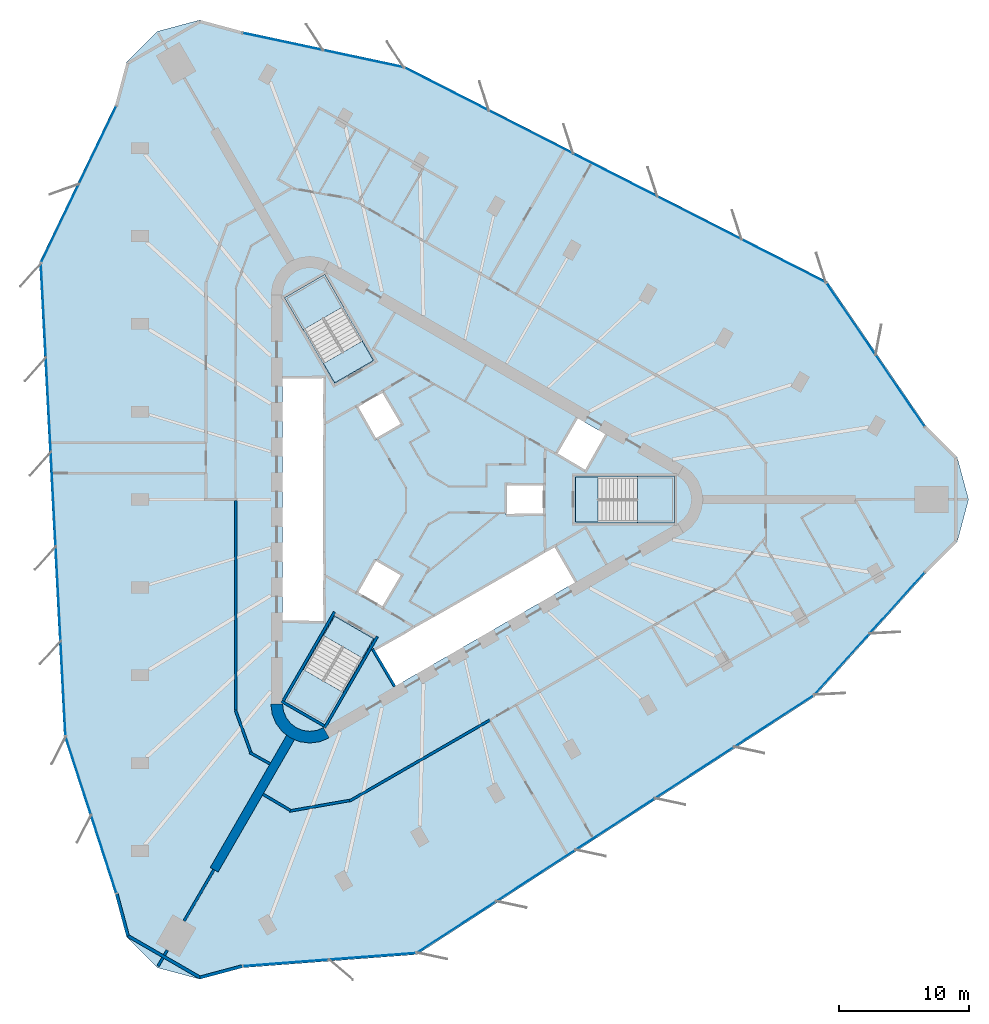
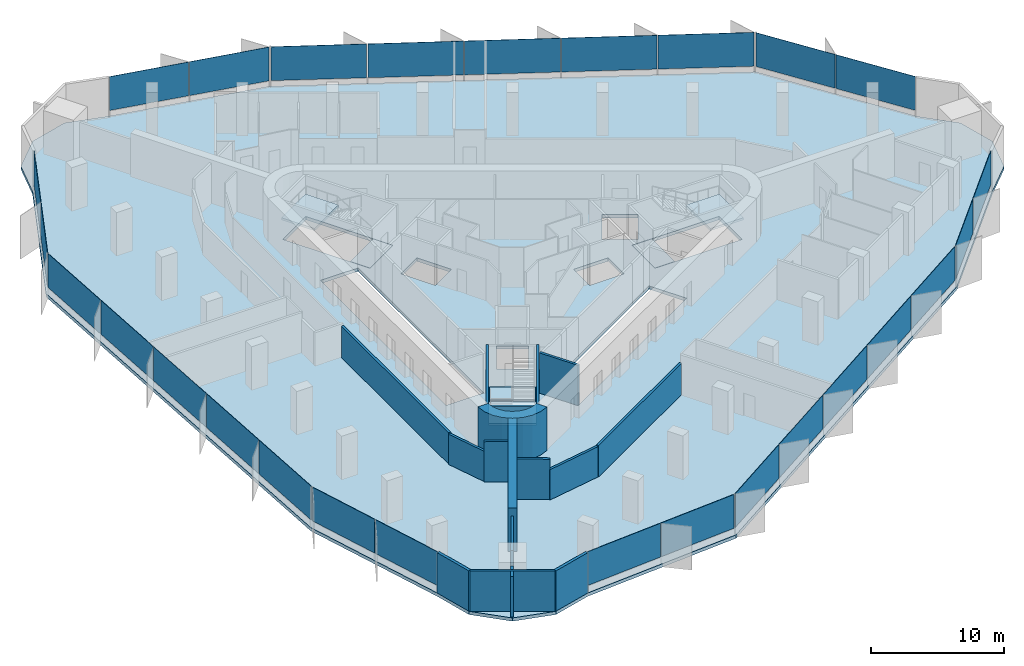
# One storey, part 7 of 14: 27 plates, 18 walls, 7 slabs, 12 elements without a shape of their own.
"""IFC4 building model written with IfcOpenShell, lengths in metres."""

from ifc_helpers import new_model, si_unit, direction, frame, frame_2d, origin, origin_2d, place, context, subcontext, project, spatial, polyline, rectangle, outline, extrude, material, layer, layer_set, type_object, element, aggregate, save


model = new_model("IFC4")

# Units and contexts
model_context = context("Model", 3, precision=1e-05, world=origin(), true_north=direction((0.0, 1.0)))
body_context = subcontext(model_context, "Body", "Model", "MODEL_VIEW")
ifc_project = project(units=[si_unit("LENGTHUNIT", "METRE"), si_unit("AREAUNIT", "SQUARE_METRE"), si_unit("VOLUMEUNIT", "CUBIC_METRE"), si_unit("PLANEANGLEUNIT", "RADIAN"), si_unit("MASSUNIT", "GRAM", prefix="KILO")], contexts=[model_context])

# Site, building, storey
site_placement = place(None, origin())
site = spatial("IfcSite", under=ifc_project, at=site_placement, CompositionType="ELEMENT")
building_placement = place(site_placement, origin())
building = spatial("IfcBuilding", under=site, at=building_placement, Name="Tanit Gate Tower", CompositionType="ELEMENT")
storey_placement = place(building_placement, frame((0.0, 0.0, 213.199951171875)))
storey = spatial("IfcBuildingStorey", under=building, at=storey_placement, Name="L47", CompositionType="ELEMENT", Elevation=213.199951171875)

# Slab
ifc_material_1 = material(Name="Concrete C35/45", Category="concrete")
ifc_layer_1 = layer(ifc_material_1, 0.300048828125)
ifc_layer_set_1 = layer_set([ifc_layer_1], Name="FLOOR SLAB 300 C35/45")
slab_type_1 = type_object("IfcSlabType", Name="FLOOR SLAB 300 C35/45", PredefinedType="FLOOR", material=ifc_layer_set_1)
slab_1_placement = place(storey_placement, frame((0.0, 0.0, -0.300048828125)))
element("IfcSlab", 1, at=slab_1_placement, inside=storey, type_object=slab_type_1, Name="FLOOR SLAB L47", PredefinedType="FLOOR", context=body_context, shape_type="SweptSolid", body=[
    extrude(outline(polyline([(38.39453125, 5.65771484375), (40.785888671875, 3.266357421875), (41.660888671875, 0.0), (40.785888671875, -3.266357421875), (38.39453125, -5.65771484375), (29.828857421875, -15.15869140625), (-0.8359375, -35.058349609375), (-14.297607421875, -36.07958984375), (-17.564208984375, -36.95458984375), (-20.83056640625, -36.07958984375), (-23.2216796875, -33.688232421875), (-24.096923828125, -30.421875), (-28.04248046875, -18.253173828125), (-29.943359375, 18.253173828125), (-24.096923828125, 30.421875), (-23.2216796875, 33.688232421875), (-20.83056640625, 36.07958984375), (-17.564208984375, 36.95458984375), (-14.297607421875, 36.07958984375), (-1.78662109375, 33.411865234375), (30.779296875, 16.80517578125), (38.39453125, 5.65771484375)]), holes=[polyline([(11.3701171875, 1.72998046875), (18.929931640625, 1.72998046875), (18.929931640625, -1.72998046875), (11.3701171875, -1.72998046875), (11.3701171875, 1.72998046875)]), polyline([(9.82080078125, 3.510009765625), (11.44580078125, 6.324462890625), (13.783935546875, 4.974609375), (12.158935546875, 2.159912109375), (9.82080078125, 3.510009765625)]), polyline([(-4.208984375, -11.60986328125), (9.82080078125, -3.510009765625), (11.44580078125, -6.324462890625), (-2.583984375, -14.424560546875), (-4.208984375, -11.60986328125)]), polyline([(6.0, 1.199951171875), (9.0, 1.199951171875), (9.0, -1.199951171875), (6.0, -1.199951171875), (6.0, 1.199951171875)]), polyline([(-5.539306640625, 7.194091796875), (-3.460693359375, 8.394287109375), (-1.960693359375, 5.796142578125), (-4.039306640625, 4.59619140625), (-5.539306640625, 7.194091796875)]), polyline([(-1.960693359375, -5.796142578125), (-3.460693359375, -8.394287109375), (-5.539306640625, -7.194091796875), (-4.039306640625, -4.59619140625), (-1.960693359375, -5.796142578125)]), polyline([(-10.963134765625, 15.52880859375), (-7.966796875, 17.2587890625), (-4.186767578125, 10.711669921875), (-7.18310546875, 8.981689453125), (-10.963134765625, 15.52880859375)]), polyline([(-4.186767578125, -10.711669921875), (-7.966796875, -17.2587890625), (-10.963134765625, -15.52880859375), (-7.18310546875, -8.981689453125), (-4.186767578125, -10.711669921875)]), polyline([(-11.199951171875, -9.449951171875), (-11.199951171875, 9.449951171875), (-7.949951171875, 9.449951171875), (-7.949951171875, -9.449951171875), (-11.199951171875, -9.449951171875)])]), origin(), (0.0, 0.0, 1.0), 0.300048828125),
])

# Curtain wall, plates
ifc_material_2 = material(Name="Aluminium bronze anodised and glass", Category="aluminium")
curtain_wall_type = type_object("IfcCurtainWallType", Name="Curtain wall typical mid", PredefinedType="NOTDEFINED", material=ifc_material_2)
curtain_wall_1_placement = place(storey_placement, origin())
curtain_wall_1 = element("IfcCurtainWall", 2, at=curtain_wall_1_placement, inside=storey, type_object=curtain_wall_type, Name="Curtain wall L47 NE1", PredefinedType="NOTDEFINED")
ifc_material_3 = material(Name="Glass tinted", Category="glass")
ifc_layer_2 = layer(ifc_material_3, 0.030029296875)
ifc_layer_set_2 = layer_set([ifc_layer_2], Name="Glass panel 30 typical mid")
plate_type = type_object("IfcPlateType", Name="Glass panel 30 typical mid", PredefinedType="CURTAIN_PANEL", material=ifc_layer_set_2)
plate_1_placement = place(storey_placement, frame((36.389404296875, 8.380126953125, 0.60009765625), z_axis=(0.0, 0.0, 1.0), x_axis=(-0.564077771762, 0.825721664608, 0.0)))
plate_1 = element("IfcPlate", 3, at=plate_1_placement, type_object=plate_type, Name="Glass panel L47 NE1.1", PredefinedType="CURTAIN_PANEL", context=body_context, shape_type="SweptSolid", body=[
    extrude(rectangle(XDim=6.620361328125, YDim=0.030029296875, at=origin_2d()), origin(), (0.0, 0.0, 1.0), 3.10009765625),
])
plate_2_placement = place(storey_placement, frame((32.60986328125, 13.912841796875, 0.60009765625), z_axis=(0.0, 0.0, 1.0), x_axis=(-0.564077771762, 0.825721664608, 0.0)))
plate_2 = element("IfcPlate", 4, at=plate_2_placement, type_object=plate_type, Name="Glass panel L47 NE1.2", PredefinedType="CURTAIN_PANEL", context=body_context, shape_type="SweptSolid", body=[
    extrude(rectangle(XDim=6.62060546875, YDim=0.030029296875, at=origin_2d()), origin(), (0.0, 0.0, 1.0), 3.10009765625),
])
aggregate(curtain_wall_1, [plate_1, plate_2])

curtain_wall_2_placement = place(storey_placement, origin())
curtain_wall_2 = element("IfcCurtainWall", 5, at=curtain_wall_2_placement, inside=storey, type_object=curtain_wall_type, Name="Curtain wall L47 NE2", PredefinedType="NOTDEFINED")
plate_3_placement = place(storey_placement, frame((27.41650390625, 18.38525390625, 0.60009765625), z_axis=(0.0, 0.0, 1.0), x_axis=(-0.890855088516, 0.454287586518, 0.0)))
plate_3 = element("IfcPlate", 6, at=plate_3_placement, type_object=plate_type, Name="Glass panel L47 NE2.1", PredefinedType="CURTAIN_PANEL", context=body_context, shape_type="SweptSolid", body=[
    extrude(rectangle(XDim=7.205810546875, YDim=0.030029296875, at=origin_2d()), origin(), (0.0, 0.0, 1.0), 3.10009765625),
])
plate_4_placement = place(storey_placement, frame((20.926025390625, 21.695068359375, 0.60009765625), z_axis=(0.0, 0.0, 1.0), x_axis=(-0.890855088516, 0.454287586518, 0.0)))
plate_4 = element("IfcPlate", 7, at=plate_4_placement, type_object=plate_type, Name="Glass panel L47 NE2.2", PredefinedType="CURTAIN_PANEL", context=body_context, shape_type="SweptSolid", body=[
    extrude(rectangle(XDim=7.205810546875, YDim=0.030029296875, at=origin_2d()), origin(), (0.0, 0.0, 1.0), 3.10009765625),
])
plate_5_placement = place(storey_placement, frame((14.435302734375, 25.005126953125, 0.60009765625), z_axis=(0.0, 0.0, 1.0), x_axis=(-0.890855088516, 0.454287586518, 0.0)))
plate_5 = element("IfcPlate", 8, at=plate_5_placement, type_object=plate_type, Name="Glass panel L47 NE2.3", PredefinedType="CURTAIN_PANEL", context=body_context, shape_type="SweptSolid", body=[
    extrude(rectangle(XDim=7.205810546875, YDim=0.030029296875, at=origin_2d()), origin(), (0.0, 0.0, 1.0), 3.10009765625),
])
plate_6_placement = place(storey_placement, frame((7.944580078125, 28.31494140625, 0.60009765625), z_axis=(0.0, 0.0, 1.0), x_axis=(-0.890855088516, 0.454287586518, 0.0)))
plate_6 = element("IfcPlate", 9, at=plate_6_placement, type_object=plate_type, Name="Glass panel L47 NE2.4", PredefinedType="CURTAIN_PANEL", context=body_context, shape_type="SweptSolid", body=[
    extrude(rectangle(XDim=7.205810546875, YDim=0.030029296875, at=origin_2d()), origin(), (0.0, 0.0, 1.0), 3.10009765625),
])
plate_7_placement = place(storey_placement, frame((1.4541015625, 31.624755859375, 0.60009765625), z_axis=(0.0, 0.0, 1.0), x_axis=(-0.890855088516, 0.454287586518, 0.0)))
plate_7 = element("IfcPlate", 10, at=plate_7_placement, type_object=plate_type, Name="Glass panel L47 NE2.5", PredefinedType="CURTAIN_PANEL", context=body_context, shape_type="SweptSolid", body=[
    extrude(rectangle(XDim=7.205810546875, YDim=0.030029296875, at=origin_2d()), origin(), (0.0, 0.0, 1.0), 3.10009765625),
])
aggregate(curtain_wall_2, [plate_3, plate_4, plate_5, plate_6, plate_7])

curtain_wall_3_placement = place(storey_placement, origin())
curtain_wall_3 = element("IfcCurtainWall", 11, at=curtain_wall_3_placement, inside=storey, type_object=curtain_wall_type, Name="Curtain wall L47 NE3", PredefinedType="NOTDEFINED")
plate_8_placement = place(storey_placement, frame((-4.97119140625, 33.96826171875, 0.60009765625), z_axis=(0.0, 0.0, 1.0), x_axis=(-0.978016696692, 0.208526595404, 0.0)))
plate_8 = element("IfcPlate", 12, at=plate_8_placement, type_object=plate_type, Name="Glass panel L47 NE3.1", PredefinedType="CURTAIN_PANEL", context=body_context, shape_type="SweptSolid", body=[
    extrude(rectangle(XDim=6.269775390625, YDim=0.030029296875, at=origin_2d()), origin(), (0.0, 0.0, 1.0), 3.10009765625),
])
plate_9_placement = place(storey_placement, frame((-11.181396484375, 35.29248046875, 0.60009765625), z_axis=(0.0, 0.0, 1.0), x_axis=(-0.978016696692, 0.208526595404, 0.0)))
plate_9 = element("IfcPlate", 13, at=plate_9_placement, type_object=plate_type, Name="Glass panel L47 NE3.2", PredefinedType="CURTAIN_PANEL", context=body_context, shape_type="SweptSolid", body=[
    extrude(rectangle(XDim=6.27001953125, YDim=0.030029296875, at=origin_2d()), origin(), (0.0, 0.0, 1.0), 3.10009765625),
])
aggregate(curtain_wall_3, [plate_8, plate_9])

curtain_wall_4_placement = place(storey_placement, origin())
curtain_wall_4 = element("IfcCurtainWall", 14, at=curtain_wall_4_placement, inside=storey, type_object=curtain_wall_type, Name="Curtain wall L47 W1", PredefinedType="NOTDEFINED")
plate_10_placement = place(storey_placement, frame((-25.4521484375, 27.32421875, 0.60009765625), z_axis=(0.0, 0.0, 1.0), x_axis=(-0.433057052125, -0.90136651236, 0.0)))
plate_10 = element("IfcPlate", 15, at=plate_10_placement, type_object=plate_type, Name="Glass panel L47 W1.1", PredefinedType="CURTAIN_PANEL", context=body_context, shape_type="SweptSolid", body=[
    extrude(rectangle(XDim=6.620361328125, YDim=0.030029296875, at=origin_2d()), origin(), (0.0, 0.0, 1.0), 3.10009765625),
])
plate_11_placement = place(storey_placement, frame((-28.353759765625, 21.28466796875, 0.60009765625), z_axis=(0.0, 0.0, 1.0), x_axis=(-0.433057052125, -0.90136651236, 0.0)))
plate_11 = element("IfcPlate", 16, at=plate_11_placement, type_object=plate_type, Name="Glass panel L47 W1.2", PredefinedType="CURTAIN_PANEL", context=body_context, shape_type="SweptSolid", body=[
    extrude(rectangle(XDim=6.62060546875, YDim=0.030029296875, at=origin_2d()), origin(), (0.0, 0.0, 1.0), 3.10009765625),
])
aggregate(curtain_wall_4, [plate_10, plate_11])

curtain_wall_5_placement = place(storey_placement, origin())
curtain_wall_5 = element("IfcCurtainWall", 17, at=curtain_wall_5_placement, inside=storey, type_object=curtain_wall_type, Name="Curtain wall L47 W2", PredefinedType="NOTDEFINED")
plate_12_placement = place(storey_placement, frame((-29.63037109375, 14.55078125, 0.60009765625), z_axis=(0.0, 0.0, 1.0), x_axis=(0.05200295371, -0.998646931005, 0.0)))
plate_12 = element("IfcPlate", 18, at=plate_12_placement, type_object=plate_type, Name="Glass panel L47 W2.1", PredefinedType="CURTAIN_PANEL", context=body_context, shape_type="SweptSolid", body=[
    extrude(rectangle(XDim=7.205810546875, YDim=0.030029296875, at=origin_2d()), origin(), (0.0, 0.0, 1.0), 3.10009765625),
])
plate_13_placement = place(storey_placement, frame((-29.25146484375, 7.27490234375, 0.60009765625), z_axis=(0.0, 0.0, 1.0), x_axis=(0.05200295371, -0.998646931005, 0.0)))
plate_13 = element("IfcPlate", 19, at=plate_13_placement, type_object=plate_type, Name="Glass panel L47 W2.2", PredefinedType="CURTAIN_PANEL", context=body_context, shape_type="SweptSolid", body=[
    extrude(rectangle(XDim=7.205810546875, YDim=0.030029296875, at=origin_2d()), origin(), (0.0, 0.0, 1.0), 3.10009765625),
])
plate_14_placement = place(storey_placement, frame((-28.87255859375, -0.001220703125, 0.60009765625), z_axis=(0.0, 0.0, 1.0), x_axis=(0.05200295371, -0.998646931005, 0.0)))
plate_14 = element("IfcPlate", 20, at=plate_14_placement, type_object=plate_type, Name="Glass panel L47 W2.3", PredefinedType="CURTAIN_PANEL", context=body_context, shape_type="SweptSolid", body=[
    extrude(rectangle(XDim=7.205810546875, YDim=0.030029296875, at=origin_2d()), origin(), (0.0, 0.0, 1.0), 3.10009765625),
])
plate_15_placement = place(storey_placement, frame((-28.49365234375, -7.277099609375, 0.60009765625), z_axis=(0.0, 0.0, 1.0), x_axis=(0.05200295371, -0.998646931005, 0.0)))
plate_15 = element("IfcPlate", 21, at=plate_15_placement, type_object=plate_type, Name="Glass panel L47 W2.4", PredefinedType="CURTAIN_PANEL", context=body_context, shape_type="SweptSolid", body=[
    extrude(rectangle(XDim=7.205810546875, YDim=0.030029296875, at=origin_2d()), origin(), (0.0, 0.0, 1.0), 3.10009765625),
])
plate_16_placement = place(storey_placement, frame((-28.11474609375, -14.55322265625, 0.60009765625), z_axis=(0.0, 0.0, 1.0), x_axis=(0.05200295371, -0.998646931005, 0.0)))
plate_16 = element("IfcPlate", 22, at=plate_16_placement, type_object=plate_type, Name="Glass panel L47 W2.5", PredefinedType="CURTAIN_PANEL", context=body_context, shape_type="SweptSolid", body=[
    extrude(rectangle(XDim=7.205810546875, YDim=0.030029296875, at=origin_2d()), origin(), (0.0, 0.0, 1.0), 3.10009765625),
])
aggregate(curtain_wall_5, [plate_12, plate_13, plate_14, plate_15, plate_16])

curtain_wall_6_placement = place(storey_placement, origin())
curtain_wall_6 = element("IfcCurtainWall", 23, at=curtain_wall_6_placement, inside=storey, type_object=curtain_wall_type, Name="Curtain wall L47 W3", PredefinedType="NOTDEFINED")
plate_17_placement = place(storey_placement, frame((-26.931884765625, -21.289306640625, 0.60009765625), z_axis=(0.0, 0.0, 1.0), x_axis=(0.308419019362, -0.951250602363, 0.0)))
plate_17 = element("IfcPlate", 24, at=plate_17_placement, type_object=plate_type, Name="Glass panel L47 W3.1", PredefinedType="CURTAIN_PANEL", context=body_context, shape_type="SweptSolid", body=[
    extrude(rectangle(XDim=6.269775390625, YDim=0.030029296875, at=origin_2d()), origin(), (0.0, 0.0, 1.0), 3.10009765625),
])
plate_18_placement = place(storey_placement, frame((-24.973388671875, -27.32958984375, 0.60009765625), z_axis=(0.0, 0.0, 1.0), x_axis=(0.308419019362, -0.951250602363, 0.0)))
plate_18 = element("IfcPlate", 25, at=plate_18_placement, type_object=plate_type, Name="Glass panel L47 W3.2", PredefinedType="CURTAIN_PANEL", context=body_context, shape_type="SweptSolid", body=[
    extrude(rectangle(XDim=6.27001953125, YDim=0.030029296875, at=origin_2d()), origin(), (0.0, 0.0, 1.0), 3.10009765625),
])
aggregate(curtain_wall_6, [plate_17, plate_18])

curtain_wall_7_placement = place(storey_placement, origin())
curtain_wall_7 = element("IfcCurtainWall", 26, at=curtain_wall_7_placement, inside=storey, type_object=curtain_wall_type, Name="Curtain wall L47 SE1", PredefinedType="NOTDEFINED")
plate_19_placement = place(storey_placement, frame((-10.937255859375, -35.704345703125, 0.60009765625), z_axis=(0.0, 0.0, 1.0), x_axis=(0.997134823887, 0.075644847752, 0.0)))
plate_19 = element("IfcPlate", 27, at=plate_19_placement, type_object=plate_type, Name="Glass panel L47 SE1.1", PredefinedType="CURTAIN_PANEL", context=body_context, shape_type="SweptSolid", body=[
    extrude(rectangle(XDim=6.620361328125, YDim=0.030029296875, at=origin_2d()), origin(), (0.0, 0.0, 1.0), 3.10009765625),
])
plate_20_placement = place(storey_placement, frame((-4.256103515625, -35.197265625, 0.60009765625), z_axis=(0.0, 0.0, 1.0), x_axis=(0.997134823887, 0.075644847752, 0.0)))
plate_20 = element("IfcPlate", 28, at=plate_20_placement, type_object=plate_type, Name="Glass panel L47 SE1.2", PredefinedType="CURTAIN_PANEL", context=body_context, shape_type="SweptSolid", body=[
    extrude(rectangle(XDim=6.62060546875, YDim=0.030029296875, at=origin_2d()), origin(), (0.0, 0.0, 1.0), 3.10009765625),
])
aggregate(curtain_wall_7, [plate_19, plate_20])

curtain_wall_8_placement = place(storey_placement, origin())
curtain_wall_8 = element("IfcCurtainWall", 29, at=curtain_wall_8_placement, inside=storey, type_object=curtain_wall_type, Name="Curtain wall L47 SE2", PredefinedType="NOTDEFINED")
plate_21_placement = place(storey_placement, frame((2.2138671875, -32.93603515625, 0.60009765625), z_axis=(0.0, 0.0, 1.0), x_axis=(0.838852134807, 0.544359344487, 0.0)))
plate_21 = element("IfcPlate", 30, at=plate_21_placement, type_object=plate_type, Name="Glass panel L47 SE2.1", PredefinedType="CURTAIN_PANEL", context=body_context, shape_type="SweptSolid", body=[
    extrude(rectangle(XDim=7.205810546875, YDim=0.030029296875, at=origin_2d()), origin(), (0.0, 0.0, 1.0), 3.10009765625),
])
plate_22_placement = place(storey_placement, frame((8.32568359375, -28.969970703125, 0.60009765625), z_axis=(0.0, 0.0, 1.0), x_axis=(0.838852134807, 0.544359344487, 0.0)))
plate_22 = element("IfcPlate", 31, at=plate_22_placement, type_object=plate_type, Name="Glass panel L47 SE2.2", PredefinedType="CURTAIN_PANEL", context=body_context, shape_type="SweptSolid", body=[
    extrude(rectangle(XDim=7.205810546875, YDim=0.030029296875, at=origin_2d()), origin(), (0.0, 0.0, 1.0), 3.10009765625),
])
plate_23_placement = place(storey_placement, frame((14.437255859375, -25.00390625, 0.60009765625), z_axis=(0.0, 0.0, 1.0), x_axis=(0.838852134807, 0.544359344487, 0.0)))
plate_23 = element("IfcPlate", 32, at=plate_23_placement, type_object=plate_type, Name="Glass panel L47 SE2.3", PredefinedType="CURTAIN_PANEL", context=body_context, shape_type="SweptSolid", body=[
    extrude(rectangle(XDim=7.205810546875, YDim=0.030029296875, at=origin_2d()), origin(), (0.0, 0.0, 1.0), 3.10009765625),
])
plate_24_placement = place(storey_placement, frame((20.549072265625, -21.03759765625, 0.60009765625), z_axis=(0.0, 0.0, 1.0), x_axis=(0.838852134807, 0.544359344487, 0.0)))
plate_24 = element("IfcPlate", 33, at=plate_24_placement, type_object=plate_type, Name="Glass panel L47 SE2.4", PredefinedType="CURTAIN_PANEL", context=body_context, shape_type="SweptSolid", body=[
    extrude(rectangle(XDim=7.205810546875, YDim=0.030029296875, at=origin_2d()), origin(), (0.0, 0.0, 1.0), 3.10009765625),
])
plate_25_placement = place(storey_placement, frame((26.660888671875, -17.071533203125, 0.60009765625), z_axis=(0.0, 0.0, 1.0), x_axis=(0.838852134807, 0.544359344487, 0.0)))
plate_25 = element("IfcPlate", 34, at=plate_25_placement, type_object=plate_type, Name="Glass panel L47 SE2.5", PredefinedType="CURTAIN_PANEL", context=body_context, shape_type="SweptSolid", body=[
    extrude(rectangle(XDim=7.205810546875, YDim=0.030029296875, at=origin_2d()), origin(), (0.0, 0.0, 1.0), 3.10009765625),
])
aggregate(curtain_wall_8, [plate_21, plate_22, plate_23, plate_24, plate_25])

curtain_wall_9_placement = place(storey_placement, origin())
curtain_wall_9 = element("IfcCurtainWall", 35, at=curtain_wall_9_placement, inside=storey, type_object=curtain_wall_type, Name="Curtain wall L47 SE3", PredefinedType="NOTDEFINED")
plate_26_placement = place(storey_placement, frame((31.903076171875, -12.678955078125, 0.60009765625), z_axis=(0.0, 0.0, 1.0), x_axis=(0.669597677331, 0.742724006959, 0.0)))
plate_26 = element("IfcPlate", 36, at=plate_26_placement, type_object=plate_type, Name="Glass panel L47 SE3.1", PredefinedType="CURTAIN_PANEL", context=body_context, shape_type="SweptSolid", body=[
    extrude(rectangle(XDim=6.269775390625, YDim=0.030029296875, at=origin_2d()), origin(), (0.0, 0.0, 1.0), 3.10009765625),
])
plate_27_placement = place(storey_placement, frame((36.15478515625, -7.962890625, 0.60009765625), z_axis=(0.0, 0.0, 1.0), x_axis=(0.669597677331, 0.742724006959, 0.0)))
plate_27 = element("IfcPlate", 37, at=plate_27_placement, type_object=plate_type, Name="Glass panel L47 SE3.2", PredefinedType="CURTAIN_PANEL", context=body_context, shape_type="SweptSolid", body=[
    extrude(rectangle(XDim=6.27001953125, YDim=0.030029296875, at=origin_2d()), origin(), (0.0, 0.0, 1.0), 3.10009765625),
])
aggregate(curtain_wall_9, [plate_26, plate_27])

# Stair, slab
ifc_material_4 = material(Name="Concrete C40/50", Category="concrete")
stair_type = type_object("IfcStairType", Name="INT-STAIR-EXIT", PredefinedType="HALF_TURN_STAIR", material=ifc_material_4)
stair_1_placement = place(storey_placement, origin())
stair_1 = element("IfcStair", 38, at=stair_1_placement, inside=storey, type_object=stair_type, Name="L47 STAIR S1", PredefinedType="HALF_TURN_STAIR")
ifc_material_5 = material(Name="Concrete C40/50", Category="concrete")
ifc_layer_3 = layer(ifc_material_5, 0.199951171875)
ifc_layer_set_3 = layer_set([ifc_layer_3], Name="INT-STAIR-LANDING")
slab_type_2 = type_object("IfcSlabType", Name="INT-STAIR-LANDING", PredefinedType="LANDING", material=ifc_layer_set_3)
slab_2_placement = place(storey_placement, frame((0.0, 0.0, 1.800048828125)))
slab_2 = element("IfcSlab", 39, at=slab_2_placement, type_object=slab_type_2, Name="S1 landing 1", PredefinedType="LANDING", context=body_context, shape_type="SweptSolid", body=[
    extrude(outline(polyline([(16.135986328125, -1.800048828125), (19.0, -1.800048828125), (19.0, 1.800048828125), (16.135986328125, 1.800048828125), (16.135986328125, -1.800048828125)])), origin(), (0.0, 0.0, 1.0), 0.199951171875),
])
aggregate(stair_1, [slab_2])

# Slab
slab_3_placement = place(storey_placement, frame((0.0, 0.0, -0.199951171875)))
element("IfcSlab", 40, at=slab_3_placement, inside=storey, type_object=slab_type_2, Name="S1 floor landing", PredefinedType="LANDING", context=body_context, shape_type="SweptSolid", body=[
    extrude(outline(polyline([(11.3798828125, -1.719970703125), (13.10498046875, -1.719970703125), (13.10498046875, 1.719970703125), (11.3798828125, 1.719970703125), (11.3798828125, -1.719970703125)])), origin(), (0.0, 0.0, 1.0), 0.199951171875),
])

# Stair, slab
stair_2_placement = place(storey_placement, origin())
stair_2 = element("IfcStair", 41, at=stair_2_placement, inside=storey, type_object=stair_type, Name="L47 STAIR S2", PredefinedType="HALF_TURN_STAIR")
slab_4_placement = place(storey_placement, frame((0.0, 0.0, 1.800048828125)))
slab_4 = element("IfcSlab", 42, at=slab_4_placement, type_object=slab_type_2, Name="S2 landing 1", PredefinedType="LANDING", context=body_context, shape_type="SweptSolid", body=[
    extrude(outline(polyline([(-6.5078125, 14.871826171875), (-7.941162109375, 17.3544921875), (-11.058837890625, 15.554443359375), (-9.62548828125, 13.07177734375), (-6.5078125, 14.871826171875)])), origin(), (0.0, 0.0, 1.0), 0.199951171875),
])
aggregate(stair_2, [slab_4])

# Slab
slab_5_placement = place(storey_placement, frame((0.0, 0.0, -0.199951171875)))
element("IfcSlab", 43, at=slab_5_placement, inside=storey, type_object=slab_type_2, Name="S2 floor landing", PredefinedType="LANDING", context=body_context, shape_type="SweptSolid", body=[
    extrude(outline(polyline([(-4.200439453125, 10.71533203125), (-5.0625, 12.20849609375), (-8.04150390625, 10.48828125), (-7.179443359375, 8.995361328125), (-4.200439453125, 10.71533203125)])), origin(), (0.0, 0.0, 1.0), 0.199951171875),
])

# Stair, slab
stair_3_placement = place(storey_placement, origin())
stair_3 = element("IfcStair", 44, at=stair_3_placement, inside=storey, type_object=stair_type, Name="L47 STAIR S3", PredefinedType="HALF_TURN_STAIR")
slab_6_placement = place(storey_placement, frame((0.0, 0.0, 1.800048828125)))
slab_6 = element("IfcSlab", 45, at=slab_6_placement, type_object=slab_type_2, Name="S3 landing 1", PredefinedType="LANDING", context=body_context, shape_type="SweptSolid", body=[
    extrude(outline(polyline([(-9.626953125, -13.07421875), (-11.058837890625, -15.554443359375), (-7.941162109375, -17.3544921875), (-6.509033203125, -14.874267578125), (-9.626953125, -13.07421875)])), origin(), (0.0, 0.0, 1.0), 0.199951171875),
])
aggregate(stair_3, [slab_6])

# Slab
slab_7_placement = place(storey_placement, frame((0.0, 0.0, -0.199951171875)))
element("IfcSlab", 46, at=slab_7_placement, inside=storey, type_object=slab_type_2, Name="S3 floor landing", PredefinedType="LANDING", context=body_context, shape_type="SweptSolid", body=[
    extrude(outline(polyline([(-7.179443359375, -8.995361328125), (-8.0419921875, -10.4892578125), (-5.06298828125, -12.209228515625), (-4.200439453125, -10.71533203125), (-7.179443359375, -8.995361328125)])), origin(), (0.0, 0.0, 1.0), 0.199951171875),
])

# Walls
ifc_material_6 = material(Name="Concrete C50/60", Category="concrete")
ifc_layer_4 = layer(ifc_material_6, 0.699951171875)
ifc_layer_set_4 = layer_set([ifc_layer_4], Name="BUTTRESS FIN 700 C50/60")
wall_type_1 = type_object("IfcWallType", Name="BUTTRESS FIN 700 C50/60", PredefinedType="SHEAR", material=ifc_layer_set_4)
wall_1_placement = place(storey_placement, frame((-10.574951171875, -18.31640625, 0.0), z_axis=(0.0, 0.0, 1.0), x_axis=(-0.499999598486, -0.866025635599, 0.0)))
element("IfcWall", 47, at=wall_1_placement, inside=storey, type_object=wall_type_1, Name="BUTTRESS FIN", PredefinedType="SHEAR", context=body_context, shape_type="SweptSolid", body=[
    extrude(rectangle(XDim=11.7939453125, YDim=0.699951171875, at=frame_2d((5.89697265625, 0.0))), origin(), (0.0, 0.0, 1.0), 4.0),
])
ifc_material_7 = material(Name="Concrete C50/60", Category="concrete")
ifc_layer_5 = layer(ifc_material_7, 0.89990234375)
ifc_layer_set_5 = layer_set([ifc_layer_5], Name="CORE WALL 900 C50/60")
wall_type_2 = type_object("IfcWallType", Name="CORE WALL 900 C50/60", PredefinedType="SHEAR", material=ifc_layer_set_5)
wall_2_placement = place(storey_placement, origin())
element("IfcWall", 48, at=wall_2_placement, inside=storey, type_object=wall_type_2, Name="CORE WALL CORNER", PredefinedType="SHEAR", context=body_context, shape_type="SweptSolid", body=[
    extrude(outline(polyline([(-12.10009765625, -15.76171875), (-11.997802734375, -16.5380859375), (-11.697998046875, -17.26171875), (-11.22119140625, -17.883056640625), (-10.60009765625, -18.359619140625), (-9.87646484375, -18.659423828125), (-9.10009765625, -18.76171875), (-8.323486328125, -18.659423828125), (-7.60009765625, -18.359619140625), (-8.050048828125, -17.580322265625), (-8.556396484375, -17.7900390625), (-9.10009765625, -17.86181640625), (-9.6435546875, -17.7900390625), (-10.14990234375, -17.580322265625), (-10.5849609375, -17.24658203125), (-10.918701171875, -16.811767578125), (-11.12841796875, -16.30517578125), (-11.199951171875, -15.76171875), (-12.10009765625, -15.76171875)])), origin(), (0.0, 0.0, 1.0), 4.0),
])
ifc_material_8 = material(Name="Concrete C30/37 with bronze anodised aluminium cladding", Category="concrete")
ifc_layer_6 = layer(ifc_material_8, 0.239990234375)
ifc_layer_set_6 = layer_set([ifc_layer_6], Name="Facade wall bronze clad 240")
wall_type_3 = type_object("IfcWallType", Name="Facade wall bronze clad 240", PredefinedType="SOLIDWALL", material=ifc_layer_set_6)
wall_3_placement = place(storey_placement, frame((-23.98193359375, -30.3876953125, 0.0), z_axis=(0.0, 0.0, 1.0), x_axis=(0.258863474337, -0.965913920416, 0.0)))
element("IfcWall", 49, at=wall_3_placement, inside=storey, type_object=wall_type_3, Name="Bronze-clad facade wall L47 SW.arc1", PredefinedType="SOLIDWALL", context=body_context, shape_type="SweptSolid", body=[
    extrude(rectangle(XDim=3.352783203125, YDim=0.239990234375, at=frame_2d((1.67626953125, 0.0))), origin(), (0.0, 0.0, 1.0), 3.699951171875),
])
wall_4_placement = place(storey_placement, frame((-23.114013671875, -33.626220703125, 0.0), z_axis=(0.0, 0.0, 1.0), x_axis=(0.86602381473, -0.500002752313, 0.0)))
element("IfcWall", 50, at=wall_4_placement, inside=storey, type_object=wall_type_3, Name="Bronze-clad facade wall L47 SW.arc2", PredefinedType="SOLIDWALL", context=body_context, shape_type="SweptSolid", body=[
    extrude(rectangle(XDim=6.40869140625, YDim=0.239990234375, at=frame_2d((3.204345703125, 0.0))), origin(), (0.0, 0.0, 1.0), 3.699951171875),
])
wall_5_placement = place(storey_placement, frame((-17.56396484375, -36.83056640625, 0.0), z_axis=(0.0, 0.0, 1.0), x_axis=(0.965919514081, 0.258842601434, 0.0)))
element("IfcWall", 51, at=wall_5_placement, inside=storey, type_object=wall_type_3, Name="Bronze-clad facade wall L47 SW.arc3", PredefinedType="SOLIDWALL", context=body_context, shape_type="SweptSolid", body=[
    extrude(rectangle(XDim=3.360595703125, YDim=0.239990234375, at=frame_2d((1.68017578125, 0.0))), origin(), (0.0, 0.0, 1.0), 3.699951171875),
])
ifc_material_9 = material(Name="Fire-rated gypsum board partition")
ifc_layer_7 = layer(ifc_material_9, 0.199951171875)
ifc_layer_set_7 = layer_set([ifc_layer_7], Name="INT-WALL-COMPARTMENT")
wall_type_4 = type_object("IfcWallType", Name="INT-WALL-COMPARTMENT", PredefinedType="PARTITIONING", material=ifc_layer_set_7)
wall_6_placement = place(storey_placement, frame((-13.722412109375, -19.499267578125, 0.0), z_axis=(0.0, 0.0, 1.0), x_axis=(0.873381780332, -0.487036205824, 0.0)))
element("IfcWall", 52, at=wall_6_placement, inside=storey, type_object=wall_type_4, Name="Wall Compartment W095", PredefinedType="PARTITIONING", context=body_context, shape_type="SweptSolid", body=[
    extrude(rectangle(XDim=1.78466796875, YDim=0.199951171875, at=frame_2d((0.892333984375, 0.0))), origin(), (0.0, 0.0, 1.0), 3.699951171875),
])
wall_7_placement = place(storey_placement, frame((-14.834228515625, -16.22314453125, 0.0), z_axis=(0.0, 0.0, 1.0), x_axis=(0.342017717312, -0.939693503779, 0.0)))
element("IfcWall", 53, at=wall_7_placement, inside=storey, type_object=wall_type_4, Name="Wall Compartment W096", PredefinedType="PARTITIONING", context=body_context, shape_type="SweptSolid", body=[
    extrude(rectangle(XDim=3.4970703125, YDim=0.199951171875, at=frame_2d((1.74853515625, 0.0))), origin(), (0.0, 0.0, 1.0), 2.780029296875),
])
wall_8_placement = place(storey_placement, frame((-14.800048828125, -0.070068359375, 0.0), z_axis=(0.0, 0.0, 1.0), x_axis=(0.0, -1.0, 0.0)))
element("IfcWall", 54, at=wall_8_placement, inside=storey, type_object=wall_type_4, Name="Wall Compartment W097", PredefinedType="PARTITIONING", context=body_context, shape_type="SweptSolid", body=[
    extrude(rectangle(XDim=16.14697265625, YDim=0.199951171875, at=frame_2d((8.073486328125, 0.0))), origin(), (0.0, 0.0, 1.0), 2.880126953125),
])
wall_9_placement = place(storey_placement, frame((-6.018798828125, -23.220458984375, 0.0), z_axis=(0.0, 0.0, 1.0), x_axis=(0.866022928472, 0.500004287342, 0.0)))
element("IfcWall", 55, at=wall_9_placement, inside=storey, type_object=wall_type_4, Name="Wall Compartment W111", PredefinedType="PARTITIONING", context=body_context, shape_type="SweptSolid", body=[
    extrude(rectangle(XDim=12.47265625, YDim=0.199951171875, at=frame_2d((6.236328125, 0.0))), origin(), (0.0, 0.0, 1.0), 2.880126953125),
])
wall_10_placement = place(storey_placement, frame((-10.664794921875, -24.0048828125, 0.0), z_axis=(0.0, 0.0, 1.0), x_axis=(0.984806532296, 0.173655100553, 0.0)))
element("IfcWall", 56, at=wall_10_placement, inside=storey, type_object=wall_type_4, Name="Wall Compartment W112", PredefinedType="PARTITIONING", context=body_context, shape_type="SweptSolid", body=[
    extrude(rectangle(XDim=4.70556640625, YDim=0.199951171875, at=frame_2d((2.352783203125, 0.0))), origin(), (0.0, 0.0, 1.0), 2.780029296875),
])
wall_11_placement = place(storey_placement, frame((-12.706787109375, -22.708984375, 0.0), z_axis=(0.0, 0.0, 1.0), x_axis=(0.860754387085, -0.509020515415, 0.0)))
element("IfcWall", 57, at=wall_11_placement, inside=storey, type_object=wall_type_4, Name="Wall Compartment W113", PredefinedType="PARTITIONING", context=body_context, shape_type="SweptSolid", body=[
    extrude(rectangle(XDim=2.45703125, YDim=0.199951171875, at=frame_2d((1.228515625, 0.0))), origin(), (0.0, 0.0, 1.0), 3.699951171875),
])
wall_12_placement = place(storey_placement, frame((-20.790283203125, -35.949951171875, 0.0), z_axis=(0.0, 0.0, 1.0), x_axis=(0.499876722092, 0.86609656662, 0.0)))
element("IfcWall", 58, at=wall_12_placement, inside=storey, type_object=wall_type_4, Name="Wall Compartment W121", PredefinedType="PARTITIONING", context=body_context, shape_type="SweptSolid", body=[
    extrude(rectangle(XDim=0.730712890625, YDim=0.199951171875, at=frame_2d((0.365234375, 0.0))), origin(), (0.0, 0.0, 1.0), 3.699951171875),
])
wall_13_placement = place(storey_placement, frame((-20.30517578125, -35.109375, 0.0), z_axis=(0.0, 0.0, 1.0), x_axis=(0.500132045864, 0.865949153646, 0.0)))
element("IfcWall", 59, at=wall_13_placement, inside=storey, type_object=wall_type_4, Name="Wall Compartment W121x1", PredefinedType="PARTITIONING", context=body_context, shape_type="SweptSolid", body=[
    extrude(rectangle(XDim=0.447265625, YDim=0.199951171875, at=frame_2d((0.2236328125, 0.0))), origin(), (0.0, 0.0, 1.0), 3.699951171875),
])
wall_14_placement = place(storey_placement, frame((-18.781494140625, -32.470458984375, 0.0), z_axis=(0.0, 0.0, 1.0), x_axis=(0.502274788288, 0.864708064638, 0.0)))
element("IfcWall", 60, at=wall_14_placement, inside=storey, type_object=wall_type_4, Name="Wall Compartment W122", PredefinedType="PARTITIONING", context=body_context, shape_type="SweptSolid", body=[
    extrude(rectangle(XDim=4.567138671875, YDim=0.199951171875, at=frame_2d((2.28369140625, 0.0))), origin(), (0.0, 0.0, 1.0), 3.27001953125),
])
ifc_material_10 = material(Name="Gypsum shaft wall system")
ifc_layer_8 = layer(ifc_material_10, 0.199951171875)
ifc_layer_set_8 = layer_set([ifc_layer_8], Name="INT-WALL-SHAFT")
wall_type_5 = type_object("IfcWallType", Name="INT-WALL-SHAFT", PredefinedType="PLUMBINGWALL", material=ifc_layer_set_8)
wall_15_placement = place(storey_placement, frame((-2.557861328125, -14.409423828125, 0.0), z_axis=(0.0, 0.0, 1.0), x_axis=(-0.507997497166, 0.861358544901, 0.0)))
element("IfcWall", 61, at=wall_15_placement, inside=storey, type_object=wall_type_5, Name="Wall Shaft W019", PredefinedType="PLUMBINGWALL", context=body_context, shape_type="SweptSolid", body=[
    extrude(rectangle(XDim=3.350341796875, YDim=0.199951171875, at=frame_2d((1.67529296875, 0.0))), origin(), (0.0, 0.0, 1.0), 3.699951171875),
])
ifc_material_11 = material(Name="Concrete C40/50", Category="concrete")
ifc_layer_9 = layer(ifc_material_11, 0.199951171875)
ifc_layer_set_9 = layer_set([ifc_layer_9], Name="INT-WALL-STAIR")
wall_type_6 = type_object("IfcWallType", Name="INT-WALL-STAIR", PredefinedType="SHEAR", material=ifc_layer_set_9)
wall_16_placement = place(storey_placement, frame((-3.904541015625, -10.56298828125, -0.300048828125), z_axis=(0.0, 0.0, 1.0), x_axis=(-0.500012932018, -0.866017937352, 0.0)))
element("IfcWall", 62, at=wall_16_placement, inside=storey, type_object=wall_type_6, Name="Wall Stair W041", PredefinedType="SHEAR", context=body_context, shape_type="SweptSolid", body=[
    extrude(rectangle(XDim=8.099853515625, YDim=0.199951171875, at=frame_2d((4.0498046875, 0.0))), origin(), (0.0, 0.0, 1.0), 4.0),
])
wall_17_placement = place(storey_placement, frame((-11.281982421875, -15.541015625, -0.300048828125), z_axis=(0.0, 0.0, 1.0), x_axis=(0.866000483506, -0.500043160704, 0.0)))
element("IfcWall", 63, at=wall_17_placement, inside=storey, type_object=wall_type_6, Name="Wall Stair W042", PredefinedType="SHEAR", context=body_context, shape_type="SweptSolid", body=[
    extrude(rectangle(XDim=3.800048828125, YDim=0.199951171875, at=frame_2d((1.89990234375, 0.0))), origin(), (0.0, 0.0, 1.0), 4.0),
])
wall_18_placement = place(storey_placement, frame((-7.195556640625, -8.662841796875, -0.300048828125), z_axis=(0.0, 0.0, 1.0), x_axis=(-0.499997992926, -0.866026562566, 0.0)))
element("IfcWall", 64, at=wall_18_placement, inside=storey, type_object=wall_type_6, Name="Wall Stair W043", PredefinedType="SHEAR", context=body_context, shape_type="SweptSolid", body=[
    extrude(rectangle(XDim=7.89990234375, YDim=0.199951171875, at=frame_2d((3.949951171875, 0.0))), origin(), (0.0, 0.0, 1.0), 4.0),
])

save(model, "model.ifc")
